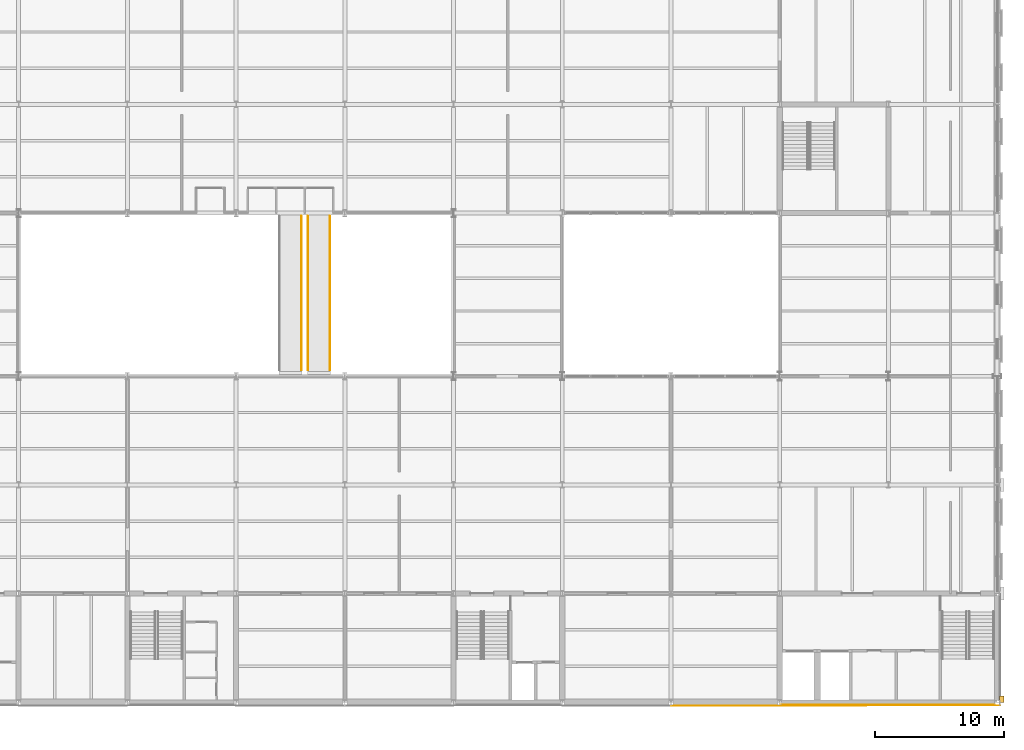
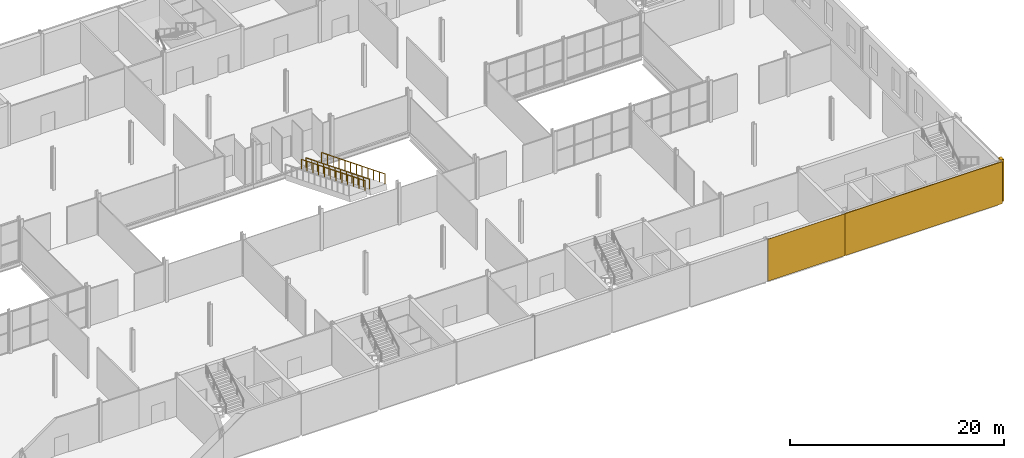
# One storey, part 48 of 52: 4 coverings, 3 railings.
"""IFC4 building model written with IfcOpenShell, lengths in metres."""

from ifc_helpers import new_model, si_unit, direction, frame, origin, origin_2d, place, context, subcontext, project, spatial, rectangle, circle, extrude, material, layer, layer_set, type_object, element, save


model = new_model("IFC4")

# Units and contexts
model_context = context("Model", 3, precision=1e-05, world=origin(), true_north=direction((0.0, 1.0)))
body_context = subcontext(model_context, "Body", "Model", "MODEL_VIEW")
ifc_project = project(units=[si_unit("LENGTHUNIT", "METRE"), si_unit("AREAUNIT", "SQUARE_METRE"), si_unit("VOLUMEUNIT", "CUBIC_METRE"), si_unit("PLANEANGLEUNIT", "RADIAN"), si_unit("MASSUNIT", "GRAM", prefix="KILO")], contexts=[model_context])

# Site, building, storey
site_placement = place(None, origin())
site = spatial("IfcSite", under=ifc_project, at=site_placement, CompositionType="ELEMENT")
building_placement = place(site_placement, origin())
building = spatial("IfcBuilding", under=site, at=building_placement, Name="Galleria Vessillo Department Store", CompositionType="ELEMENT")
storey_placement = place(building_placement, frame((0.0, 0.0, 16.199951171875)))
storey = spatial("IfcBuildingStorey", under=building, at=storey_placement, Name="L03", CompositionType="ELEMENT", Elevation=16.199951171875)

# Railings
ifc_material_1 = material(Name="Glass laminated 44.2", Category="glass")
railing_type = type_object("IfcRailingType", Name="Escalator balustrade glass 1150 mm", PredefinedType="BALUSTRADE", material=ifc_material_1)
railing_1_placement = place(storey_placement, frame((63.85009765625, 37.55712890625, -0.124755859375)))
element("IfcRailing", 1, at=railing_1_placement, inside=storey, type_object=railing_type, Name="Escalator balustrade ES7 E", PredefinedType="BALUSTRADE", context=body_context, shape_type="SweptSolid", body=[
    extrude(circle(Radius=0.02392578125, at=origin_2d()), frame((0.0, 0.0, 1.1259765625), z_axis=(0.0, -0.928203066198, 0.372074008633), x_axis=(1.0, 0.0, 0.0)), (0.0, 0.0, 1.0), 12.810791015625),
    extrude(circle(Radius=0.02099609375, at=origin_2d()), origin(), (0.0, 0.0, 1.0), 1.101806640625),
    extrude(circle(Radius=0.02099609375, at=origin_2d()), frame((0.0, -1.0810546875, 0.433349609375)), (0.0, 0.0, 1.0), 1.101806640625),
    extrude(circle(Radius=0.02099609375, at=origin_2d()), frame((0.0, -2.162109375, 0.86669921875)), (0.0, 0.0, 1.0), 1.101806640625),
    extrude(circle(Radius=0.02099609375, at=origin_2d()), frame((0.0, -3.242919921875, 1.300048828125)), (0.0, 0.0, 1.0), 1.101806640625),
    extrude(circle(Radius=0.02099609375, at=origin_2d()), frame((0.0, -4.323974609375, 1.7333984375)), (0.0, 0.0, 1.0), 1.101806640625),
    extrude(circle(Radius=0.02099609375, at=origin_2d()), frame((0.0, -5.405029296875, 2.166748046875)), (0.0, 0.0, 1.0), 1.101806640625),
    extrude(circle(Radius=0.02099609375, at=origin_2d()), frame((0.0, -6.486083984375, 2.599853515625)), (0.0, 0.0, 1.0), 1.101806640625),
    extrude(circle(Radius=0.02099609375, at=origin_2d()), frame((0.0, -7.567138671875, 3.033203125)), (0.0, 0.0, 1.0), 1.101806640625),
    extrude(circle(Radius=0.02099609375, at=origin_2d()), frame((0.0, -8.648193359375, 3.466552734375)), (0.0, 0.0, 1.0), 1.101806640625),
    extrude(circle(Radius=0.02099609375, at=origin_2d()), frame((0.0, -9.72900390625, 3.89990234375)), (0.0, 0.0, 1.0), 1.101806640625),
    extrude(circle(Radius=0.02099609375, at=origin_2d()), frame((0.0, -10.81005859375, 4.333251953125)), (0.0, 0.0, 1.0), 1.101806640625),
    extrude(circle(Radius=0.02099609375, at=origin_2d()), frame((0.0, -11.89111328125, 4.7666015625)), (0.0, 0.0, 1.0), 1.101806640625),
])
railing_2_placement = place(storey_placement, frame((64.349853515625, 37.55712890625, -0.124755859375)))
element("IfcRailing", 2, at=railing_2_placement, inside=storey, type_object=railing_type, Name="Escalator balustrade ES8 W", PredefinedType="BALUSTRADE", context=body_context, shape_type="SweptSolid", body=[
    extrude(circle(Radius=0.02392578125, at=origin_2d()), frame((0.0, 0.0, 1.1259765625), z_axis=(0.0, -0.928203066198, 0.372074008633), x_axis=(1.0, 0.0, 0.0)), (0.0, 0.0, 1.0), 12.810791015625),
    extrude(circle(Radius=0.02099609375, at=origin_2d()), origin(), (0.0, 0.0, 1.0), 1.101806640625),
    extrude(circle(Radius=0.02099609375, at=origin_2d()), frame((0.0, -1.0810546875, 0.433349609375)), (0.0, 0.0, 1.0), 1.101806640625),
    extrude(circle(Radius=0.02099609375, at=origin_2d()), frame((0.0, -2.162109375, 0.86669921875)), (0.0, 0.0, 1.0), 1.101806640625),
    extrude(circle(Radius=0.02099609375, at=origin_2d()), frame((0.0, -3.242919921875, 1.300048828125)), (0.0, 0.0, 1.0), 1.101806640625),
    extrude(circle(Radius=0.02099609375, at=origin_2d()), frame((0.0, -4.323974609375, 1.7333984375)), (0.0, 0.0, 1.0), 1.101806640625),
    extrude(circle(Radius=0.02099609375, at=origin_2d()), frame((0.0, -5.405029296875, 2.166748046875)), (0.0, 0.0, 1.0), 1.101806640625),
    extrude(circle(Radius=0.02099609375, at=origin_2d()), frame((0.0, -6.486083984375, 2.599853515625)), (0.0, 0.0, 1.0), 1.101806640625),
    extrude(circle(Radius=0.02099609375, at=origin_2d()), frame((0.0, -7.567138671875, 3.033203125)), (0.0, 0.0, 1.0), 1.101806640625),
    extrude(circle(Radius=0.02099609375, at=origin_2d()), frame((0.0, -8.648193359375, 3.466552734375)), (0.0, 0.0, 1.0), 1.101806640625),
    extrude(circle(Radius=0.02099609375, at=origin_2d()), frame((0.0, -9.72900390625, 3.89990234375)), (0.0, 0.0, 1.0), 1.101806640625),
    extrude(circle(Radius=0.02099609375, at=origin_2d()), frame((0.0, -10.81005859375, 4.333251953125)), (0.0, 0.0, 1.0), 1.101806640625),
    extrude(circle(Radius=0.02099609375, at=origin_2d()), frame((0.0, -11.89111328125, 4.7666015625)), (0.0, 0.0, 1.0), 1.101806640625),
])
railing_3_placement = place(storey_placement, frame((66.050048828125, 37.55712890625, -0.124755859375)))
element("IfcRailing", 3, at=railing_3_placement, inside=storey, type_object=railing_type, Name="Escalator balustrade ES8 E", PredefinedType="BALUSTRADE", context=body_context, shape_type="SweptSolid", body=[
    extrude(circle(Radius=0.02392578125, at=origin_2d()), frame((0.0, 0.0, 1.1259765625), z_axis=(0.0, -0.928203066198, 0.372074008633), x_axis=(1.0, 0.0, 0.0)), (0.0, 0.0, 1.0), 12.810791015625),
    extrude(circle(Radius=0.02099609375, at=origin_2d()), origin(), (0.0, 0.0, 1.0), 1.101806640625),
    extrude(circle(Radius=0.02099609375, at=origin_2d()), frame((0.0, -1.0810546875, 0.433349609375)), (0.0, 0.0, 1.0), 1.101806640625),
    extrude(circle(Radius=0.02099609375, at=origin_2d()), frame((0.0, -2.162109375, 0.86669921875)), (0.0, 0.0, 1.0), 1.101806640625),
    extrude(circle(Radius=0.02099609375, at=origin_2d()), frame((0.0, -3.242919921875, 1.300048828125)), (0.0, 0.0, 1.0), 1.101806640625),
    extrude(circle(Radius=0.02099609375, at=origin_2d()), frame((0.0, -4.323974609375, 1.7333984375)), (0.0, 0.0, 1.0), 1.101806640625),
    extrude(circle(Radius=0.02099609375, at=origin_2d()), frame((0.0, -5.405029296875, 2.166748046875)), (0.0, 0.0, 1.0), 1.101806640625),
    extrude(circle(Radius=0.02099609375, at=origin_2d()), frame((0.0, -6.486083984375, 2.599853515625)), (0.0, 0.0, 1.0), 1.101806640625),
    extrude(circle(Radius=0.02099609375, at=origin_2d()), frame((0.0, -7.567138671875, 3.033203125)), (0.0, 0.0, 1.0), 1.101806640625),
    extrude(circle(Radius=0.02099609375, at=origin_2d()), frame((0.0, -8.648193359375, 3.466552734375)), (0.0, 0.0, 1.0), 1.101806640625),
    extrude(circle(Radius=0.02099609375, at=origin_2d()), frame((0.0, -9.72900390625, 3.89990234375)), (0.0, 0.0, 1.0), 1.101806640625),
    extrude(circle(Radius=0.02099609375, at=origin_2d()), frame((0.0, -10.81005859375, 4.333251953125)), (0.0, 0.0, 1.0), 1.101806640625),
    extrude(circle(Radius=0.02099609375, at=origin_2d()), frame((0.0, -11.89111328125, 4.7666015625)), (0.0, 0.0, 1.0), 1.101806640625),
])

# Coverings
ifc_material_2 = material(Name="Lime plaster (intonaco) ochre")
ifc_layer_1 = layer(ifc_material_2, 0.030029296875)
ifc_layer_set_1 = layer_set([ifc_layer_1], Name="Lime plaster (intonaco) ochre")
covering_type_1 = type_object("IfcCoveringType", Name="Lime plaster render 30 mm", PredefinedType="CLADDING", material=ifc_layer_set_1)
covering_1_placement = place(storey_placement, frame((96.60009765625, -0.264892578125, 0.0), z_axis=(0.0, 0.0, 1.0), x_axis=(1.0, 0.0, 0.0)))
element("IfcCovering", 4, at=covering_1_placement, inside=storey, type_object=covering_type_1, Name="Wall cladding S-PS-L03-08", PredefinedType="CLADDING", context=body_context, shape_type="SweptSolid", body=[
    extrude(rectangle(XDim=8.34033203125, YDim=0.030029296875, at=origin_2d()), origin(), (0.0, 0.0, 1.0), 4.800048828125),
])
covering_2_placement = place(storey_placement, frame((109.114990234375, -0.215087890625, 0.0), z_axis=(0.0, 0.0, 1.0), x_axis=(1.0, 0.0, 0.0)))
element("IfcCovering", 5, at=covering_2_placement, inside=storey, type_object=covering_type_1, Name="Wall cladding S-CW-GC-PARTY-L03", PredefinedType="CLADDING", context=body_context, shape_type="SweptSolid", body=[
    extrude(rectangle(XDim=16.570068359375, YDim=0.030029296875, at=origin_2d()), origin(), (0.0, 0.0, 1.0), 4.800048828125),
])
covering_3_placement = place(storey_placement, frame((109.300048828125, -0.264892578125, 0.0), z_axis=(0.0, 0.0, 1.0), x_axis=(1.0, 0.0, 0.0)))
element("IfcCovering", 6, at=covering_3_placement, inside=storey, type_object=covering_type_1, Name="Corner cladding L03 y=0 south/north face", PredefinedType="CLADDING", context=body_context, shape_type="SweptSolid", body=[
    extrude(rectangle(XDim=17.059814453125, YDim=0.030029296875, at=origin_2d()), origin(), (0.0, 0.0, 1.0), 4.800048828125),
])
ifc_material_3 = material(Name="Botticino limestone ashlar", Category="masonry")
ifc_layer_2 = layer(ifc_material_3, 0.280029296875)
ifc_layer_set_2 = layer_set([ifc_layer_2], Name="Botticino limestone ashlar")
covering_type_2 = type_object("IfcCoveringType", Name="Limestone giant pilaster 1000 x 280", PredefinedType="CLADDING", material=ifc_layer_set_2)
covering_4_placement = place(storey_placement, frame((117.965087890625, 0.25, 0.0), z_axis=(0.0, 0.0, 1.0), x_axis=(1.0, 0.0, 0.0)))
element("IfcCovering", 7, at=covering_4_placement, inside=storey, type_object=covering_type_2, Name="Giant pilaster E L03 y=0.0", PredefinedType="CLADDING", context=body_context, shape_type="SweptSolid", body=[
    extrude(rectangle(XDim=0.330078125, YDim=0.5, at=origin_2d()), origin(), (0.0, 0.0, 1.0), 4.800048828125),
])

save(model, "model.ifc")
